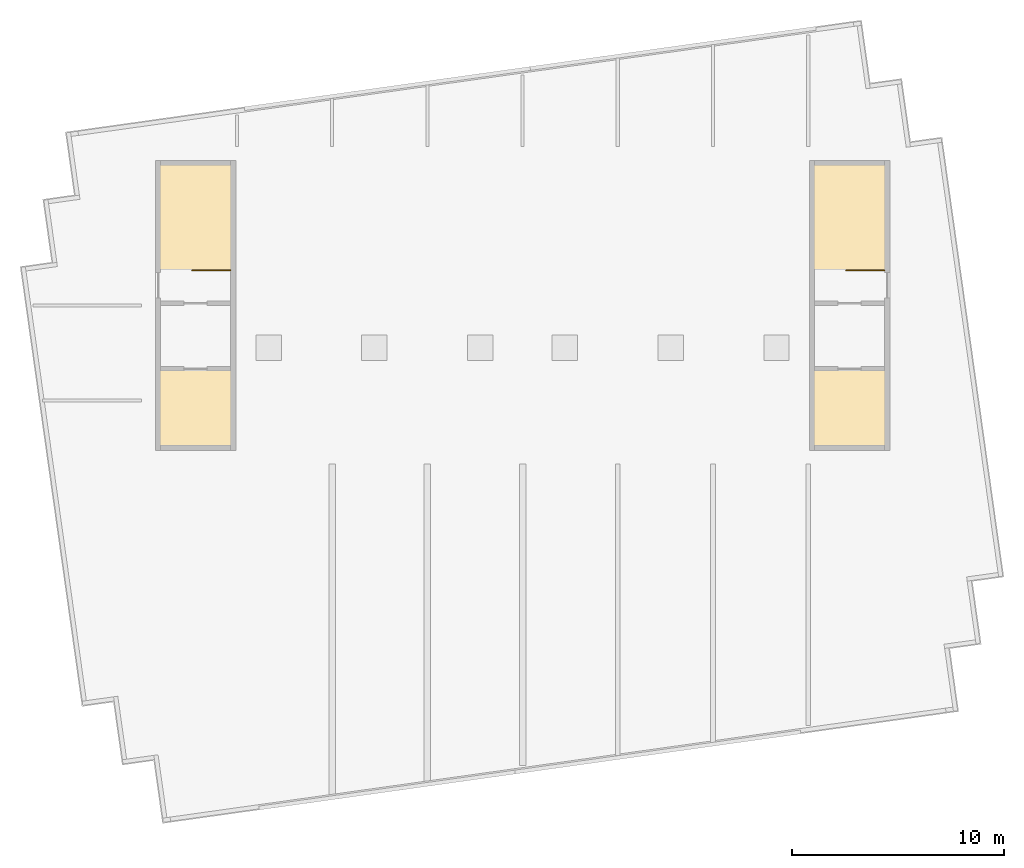
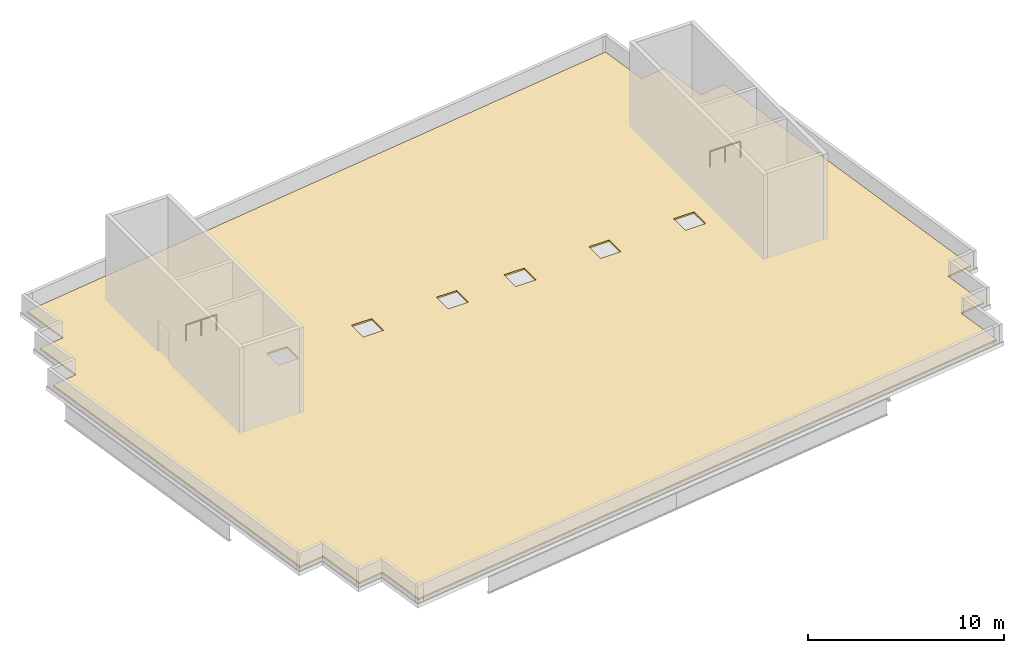
# One storey, part 3 of 3: 2 railings, 1 covering.
"""IFC4 building model written with IfcOpenShell, lengths in metres."""

from ifc_helpers import new_model, si_unit, direction, frame, origin, origin_2d, place, context, subcontext, project, spatial, polyline, rectangle, outline, extrude, material, layer, layer_set, type_object, element, save


model = new_model("IFC4")

# Units and contexts
model_context = context("Model", 3, precision=1e-05, world=origin(), true_north=direction((0.0, 1.0)))
body_context = subcontext(model_context, "Body", "Model", "MODEL_VIEW")
ifc_project = project(units=[si_unit("LENGTHUNIT", "METRE"), si_unit("AREAUNIT", "SQUARE_METRE"), si_unit("VOLUMEUNIT", "CUBIC_METRE"), si_unit("PLANEANGLEUNIT", "RADIAN"), si_unit("MASSUNIT", "GRAM", prefix="KILO")], contexts=[model_context])

# Site, building, storey
site_placement = place(None, origin())
site = spatial("IfcSite", under=ifc_project, at=site_placement, CompositionType="ELEMENT")
building_placement = place(site_placement, origin())
building = spatial("IfcBuilding", under=site, at=building_placement, Name="Rattan Terrace Tower", CompositionType="ELEMENT")
storey_placement = place(building_placement, frame((0.0, 0.0, 316.300048828125)))
storey = spatial("IfcBuildingStorey", under=building, at=storey_placement, Name="ROOF", CompositionType="ELEMENT", Elevation=316.300048828125)

# Railings
ifc_material_1 = material(Name="Powder-coated steel guard", Category="steel")
railing_type = type_object("IfcRailingType", Name="Core stair guard", PredefinedType="GUARDRAIL", material=ifc_material_1)
for number, where, name in (
    (1, (-13.800048828125, 1.64990234375, 0.0), "ROOF S1 top well guard 1"),
    (2, (17.10009765625, 1.64990234375, 0.0), "ROOF S2 top well guard 1"),
):
    element("IfcRailing", number, at=place(storey_placement, frame(where)), inside=storey, type_object=railing_type, Name=name, PredefinedType="GUARDRAIL", context=body_context, shape_type="SweptSolid", body=[
        extrude(rectangle(XDim=0.048095703125, YDim=0.048095703125, at=origin_2d()), frame((0.0, 0.0, 1.076171875), z_axis=(-1.0, 0.0, 0.0), x_axis=(0.0, -1.0, 0.0)), (0.0, 0.0, 1.0), 1.800048828125),
        extrude(rectangle(XDim=0.0419921875, YDim=0.0419921875, at=origin_2d()), origin(), (0.0, 0.0, 1.0), 1.052001953125),
        extrude(rectangle(XDim=0.0419921875, YDim=0.0419921875, at=origin_2d()), frame((-0.89990234375, 0.0, 0.0)), (0.0, 0.0, 1.0), 1.052001953125),
        extrude(rectangle(XDim=0.0419921875, YDim=0.0419921875, at=origin_2d()), frame((-1.800048828125, 0.0, 0.0)), (0.0, 0.0, 1.0), 1.052001953125),
    ])

# Covering
ifc_material_2 = material(Name="Bitumen membrane roofing with gravel ballast")
ifc_layer = layer(ifc_material_2, 0.10009765625)
ifc_layer_set = layer_set([ifc_layer], Name="Facade Roofing Build-up")
covering_type = type_object("IfcCoveringType", Name="Facade Roofing Build-up", PredefinedType="ROOFING", material=ifc_layer_set)
covering_placement = place(storey_placement, origin())
element("IfcCovering", 3, at=covering_placement, inside=storey, type_object=covering_type, Name="Roofing build-up", PredefinedType="ROOFING", context=body_context, shape_type="SweptSolid", body=[
    extrude(outline(polyline([(-23.465087890625, 1.6240234375), (-21.97900390625, 1.8330078125), (-22.39697265625, 4.802978515625), (-20.9130859375, 5.011962890625), (-21.330078125, 7.98193359375), (-21.0810546875, 8.01611328125), (15.55908203125, 13.166015625), (15.805908203125, 13.200927734375), (16.22412109375, 10.23291015625), (17.7080078125, 10.44091796875), (18.126953125, 7.468017578125), (19.611083984375, 7.677001953125), (22.465087890625, -12.6240234375), (20.97900390625, -12.8330078125), (21.39697265625, -15.802978515625), (19.9130859375, -16.011962890625), (20.330078125, -18.98193359375), (20.0810546875, -19.01611328125), (-16.55908203125, -24.166015625), (-16.805908203125, -24.200927734375), (-17.22412109375, -21.23291015625), (-18.7080078125, -21.44091796875), (-19.126953125, -18.468017578125), (-20.611083984375, -18.677001953125), (-23.465087890625, 1.6240234375)]), holes=[polyline([(-12.60009765625, -2.60009765625), (-11.39990234375, -2.60009765625), (-11.39990234375, -1.39990234375), (-12.60009765625, -1.39990234375), (-12.60009765625, -2.60009765625)]), polyline([(-7.60009765625, -2.60009765625), (-6.39990234375, -2.60009765625), (-6.39990234375, -1.39990234375), (-7.60009765625, -1.39990234375), (-7.60009765625, -2.60009765625)]), polyline([(-2.60009765625, -2.60009765625), (-1.39990234375, -2.60009765625), (-1.39990234375, -1.39990234375), (-2.60009765625, -1.39990234375), (-2.60009765625, -2.60009765625)]), polyline([(1.39990234375, -2.60009765625), (2.60009765625, -2.60009765625), (2.60009765625, -1.39990234375), (1.39990234375, -1.39990234375), (1.39990234375, -2.60009765625)]), polyline([(6.39990234375, -2.60009765625), (7.60009765625, -2.60009765625), (7.60009765625, -1.39990234375), (6.39990234375, -1.39990234375), (6.39990234375, -2.60009765625)]), polyline([(11.39990234375, -2.60009765625), (12.60009765625, -2.60009765625), (12.60009765625, -1.39990234375), (11.39990234375, -1.39990234375), (11.39990234375, -2.60009765625)])]), origin(), (0.0, 0.0, 1.0), 0.099853515625),
])

save(model, "model.ifc")
